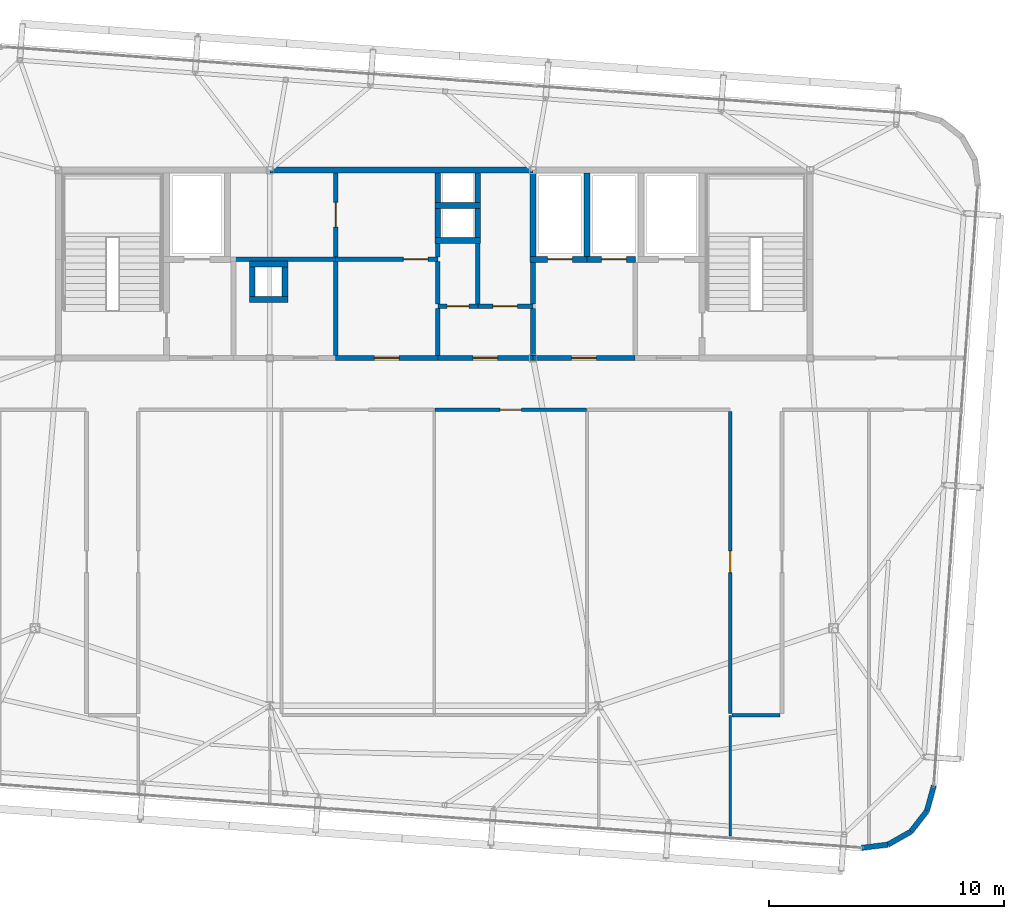
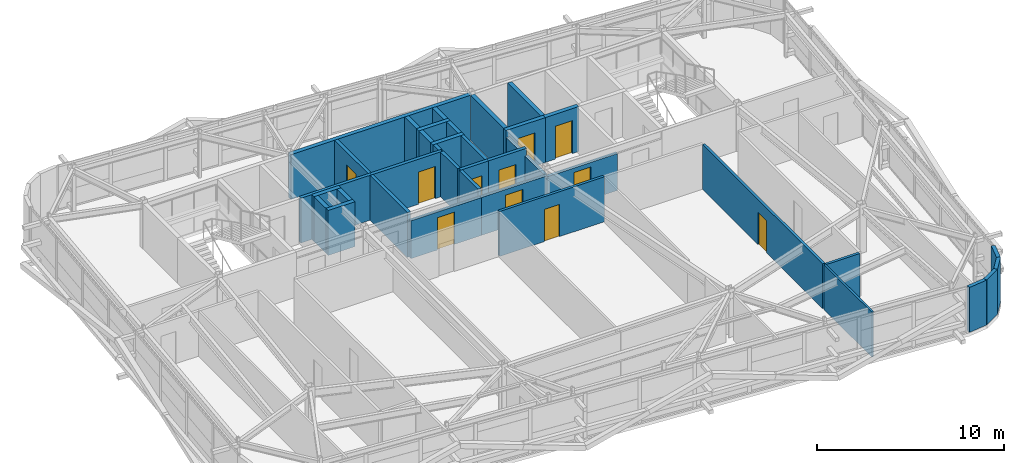
# One storey, part 39 of 42: 38 walls, 11 doors, 11 openings.
"""IFC4 building model written with IfcOpenShell, lengths in metres."""

import ifcopenshell
import ifcopenshell.guid

model = None  # the IFC model being written
_history = None  # IfcOwnerHistory: only IFC2X3 demands one
_inside = {}  # id of a spatial element -> (the spatial element, [elements in it])
_under = {}  # id of a project, library or spatial element -> (it, [spatial elements below it])
_declared = {}  # id of a project -> (the project, [libraries it declares])
_typed = {}  # id of a type object -> (the type object, [elements of that type])
_made_of = {}  # id of a material, layer set ... -> (it, [elements and type objects made of it])


def new_model(schema):
    """Start an empty IFC model of exactly this schema.

    Asked for "IFC4X3", IfcOpenShell would pick the latest addendum, in which some entities
    have other attributes; the version numbers below select the first issue.
    IFC2X3 requires an IfcOwnerHistory on every rooted entity: one is made here for all.
    """
    global model, _history
    if schema == "IFC4X3":
        model = ifcopenshell.file(schema_version=(4, 3, 0, 0))
    else:
        model = ifcopenshell.file(schema=schema)
    _inside.clear()
    _under.clear()
    _declared.clear()
    _typed.clear()
    _made_of.clear()
    _history = None
    if model.schema == "IFC2X3":
        org = make("IfcOrganization", Name="unknown")
        user = make(
            "IfcPersonAndOrganization",
            ThePerson=make("IfcPerson", FamilyName="unknown"),
            TheOrganization=org,
        )
        app = make(
            "IfcApplication",
            ApplicationDeveloper=org,
            Version="unknown",
            ApplicationFullName="unknown",
            ApplicationIdentifier="unknown",
        )
        _history = make(
            "IfcOwnerHistory",
            OwningUser=user,
            OwningApplication=app,
            ChangeAction="ADDED",
            CreationDate=0,
        )
    return model


def make(cls, **values):
    """One entity of the class cls with the attributes given. An attribute that is None is left unset."""
    return model.create_entity(
        cls, **{name: value for name, value in values.items() if value is not None}
    )


def rooted(cls, **values):
    """An entity with a GlobalId (a new one), such as an element, a storey or a relation."""
    return make(cls, GlobalId=ifcopenshell.guid.new(), OwnerHistory=_history, **values)


def si_unit(unit_type, name, prefix=None):
    """IfcSIUnit, for example si_unit("LENGTHUNIT", "METRE", prefix="MILLI")."""
    return make("IfcSIUnit", UnitType=unit_type, Prefix=prefix, Name=name)


def assignment(units):
    """IfcUnitAssignment: the units of a project."""
    return None if units is None else make("IfcUnitAssignment", Units=units)


def point(xyz):
    """IfcCartesianPoint."""
    return None if xyz is None else make("IfcCartesianPoint", Coordinates=xyz)


def direction(xyz):
    """IfcDirection."""
    return None if xyz is None else make("IfcDirection", DirectionRatios=xyz)


def frame(location, z_axis=None, x_axis=None):
    """IfcAxis2Placement3D, a coordinate frame: its origin and axes. An axis left out is left unset."""
    return make(
        "IfcAxis2Placement3D",
        Location=point(location),
        Axis=direction(z_axis),
        RefDirection=direction(x_axis),
    )


def frame_2d(location, x_axis=None):
    """IfcAxis2Placement2D, a coordinate frame in the plane: its origin and x axis."""
    return make(
        "IfcAxis2Placement2D", Location=point(location), RefDirection=direction(x_axis)
    )


def origin():
    """The frame at (0, 0, 0) with its axes left unset."""
    return frame((0.0, 0.0, 0.0))


def place(relative_to, where):
    """IfcLocalPlacement: puts the frame where relative to a parent placement (None: the world)."""
    return make(
        "IfcLocalPlacement", PlacementRelTo=relative_to, RelativePlacement=where
    )


def context(
    kind, dimensions, precision=None, world=None, true_north=None, identifier=None
):
    """IfcGeometricRepresentationContext, for example the 3D "Model" context."""
    return make(
        "IfcGeometricRepresentationContext",
        ContextIdentifier=identifier,
        ContextType=kind,
        CoordinateSpaceDimension=dimensions,
        Precision=precision,
        WorldCoordinateSystem=world,
        TrueNorth=true_north,
    )


def subcontext(parent, identifier, kind, view, scale=None):
    """IfcGeometricRepresentationSubContext, for example "Body" below "Model"."""
    return make(
        "IfcGeometricRepresentationSubContext",
        ContextIdentifier=identifier,
        ContextType=kind,
        ParentContext=parent,
        TargetScale=scale,
        TargetView=view,
    )


def project(units=None, contexts=None):
    """IfcProject with its units and contexts."""
    return rooted(
        "IfcProject",
        Name="project",
        RepresentationContexts=contexts,
        UnitsInContext=assignment(units),
    )


def spatial(cls, under=None, at=None, **own):
    """A site, building, storey or space (cls), placed at a placement, below another one or the project."""
    s = rooted(cls, ObjectPlacement=at, **own)
    if under is not None:
        _under.setdefault(under.id(), (under, []))[1].append(s)
    return s


def profile(cls, at=None, kind="AREA", **sizes):
    """A parametric profile (cls). Its sizes go by their IFC names, for example OverallWidth=200.0."""
    return make(cls, ProfileType=kind, Position=at, **sizes)


def rectangle(**sizes):
    """IfcRectangleProfileDef."""
    return profile("IfcRectangleProfileDef", **sizes)


def extrude(swept, where, along, depth):
    """IfcExtrudedAreaSolid: the profile swept, set in the frame where, extruded along a direction by depth."""
    return make(
        "IfcExtrudedAreaSolid",
        SweptArea=swept,
        Position=where,
        ExtrudedDirection=direction(along),
        Depth=depth,
    )


def shape(context_of_items, identifier, shape_type, items):
    """IfcShapeRepresentation: the items that make up one representation, for example the "Body"."""
    return make(
        "IfcShapeRepresentation",
        ContextOfItems=context_of_items,
        RepresentationIdentifier=identifier,
        RepresentationType=shape_type,
        Items=items,
    )


def source(mapping_origin, context_of_items, identifier, shape_type, items):
    """IfcRepresentationMap: a shape defined once, which mapped items show again and again."""
    return make(
        "IfcRepresentationMap",
        MappingOrigin=mapping_origin,
        MappedRepresentation=shape(context_of_items, identifier, shape_type, items),
    )


def transform(
    local_origin,
    x_axis=None,
    y_axis=None,
    z_axis=None,
    scale=None,
    scale2=None,
    scale3=None,
    uniform=True,
):
    """IfcCartesianTransformationOperator3D, or its non-uniform kind. x_axis, y_axis, z_axis: its Axis1, 2, 3."""
    if uniform:
        return make(
            "IfcCartesianTransformationOperator3D",
            Axis1=direction(x_axis),
            Axis2=direction(y_axis),
            LocalOrigin=point(local_origin),
            Scale=scale,
            Axis3=direction(z_axis),
        )
    return make(
        "IfcCartesianTransformationOperator3DnonUniform",
        Axis1=direction(x_axis),
        Axis2=direction(y_axis),
        LocalOrigin=point(local_origin),
        Scale=scale,
        Axis3=direction(z_axis),
        Scale2=scale2,
        Scale3=scale3,
    )


def mapped(mapping_source, mapping_target):
    """IfcMappedItem: shows the shape of a source again, moved by a transform."""
    return make(
        "IfcMappedItem", MappingSource=mapping_source, MappingTarget=mapping_target
    )


def material(Name=None, Category=None):
    """IfcMaterial."""
    return make("IfcMaterial", Name=Name, Category=Category)


def layer(
    of_material, thickness, ventilated=None, Name=None, Category=None, Priority=None
):
    """IfcMaterialLayer: one layer of a wall or slab, of a material (None: an air gap)."""
    return make(
        "IfcMaterialLayer",
        Material=of_material,
        LayerThickness=thickness,
        IsVentilated=ventilated,
        Name=Name,
        Category=Category,
        Priority=Priority,
    )


def layer_set(layers, Name=None):
    """IfcMaterialLayerSet."""
    return make("IfcMaterialLayerSet", MaterialLayers=layers, LayerSetName=Name)


def made_of(thing, what):
    """Note that an element or type object is made of a material, layer set ...; save() writes the relation."""
    if what is not None:
        _made_of.setdefault(what.id(), (what, []))[1].append(thing)
    return thing


def type_object(cls, material=None, **own):
    """A type object (cls), such as IfcWallType, which elements share."""
    return made_of(rooted(cls, **own), material)


def element(
    cls,
    number,
    at=None,
    inside=None,
    cuts=None,
    type_object=None,
    material=None,
    context=None,
    identifier="Body",
    shape_type=None,
    held_by="IfcProductDefinitionShape",
    body=None,
    shapes=None,
    **own,
):
    """One element of the class cls, such as IfcWall. Its Tag is "e" and its number.

    at: its placement. inside: the storey or other place that contains it. cuts: it is an
    opening in that element (IfcRelVoidsElement). A single representation is given by context,
    identifier, shape_type and body (its items); several are given by shapes. held_by: the class
    of the entity that holds the representations. save() writes the other relations.
    """
    e = rooted(cls, Tag="e%d" % number, ObjectPlacement=at, **own)
    if body is not None:
        shapes = [shape(context, identifier, shape_type, body)]
    if shapes is not None:
        e.Representation = make(held_by, Representations=shapes)
    if inside is not None:
        _inside.setdefault(inside.id(), (inside, []))[1].append(e)
    if cuts is not None:
        rooted(
            "IfcRelVoidsElement", RelatingBuildingElement=cuts, RelatedOpeningElement=e
        )
    if type_object is not None:
        _typed.setdefault(type_object.id(), (type_object, []))[1].append(e)
    return made_of(e, material)


def fill(opening, filler):
    """IfcRelFillsElement: the door or window that sits in an opening."""
    return rooted(
        "IfcRelFillsElement",
        RelatingOpeningElement=opening,
        RelatedBuildingElement=filler,
    )


def aggregate(whole, parts):
    """IfcRelAggregates: a whole, such as a stair, and the parts it consists of."""
    return rooted("IfcRelAggregates", RelatingObject=whole, RelatedObjects=parts)


def save(model, path):
    """Write the relations noted so far, then the file.

    IfcRelAggregates (storeys below a building ...), IfcRelContainedInSpatialStructure (elements
    in a storey), IfcRelDefinesByType, IfcRelAssociatesMaterial and IfcRelDeclares: one each for
    every whole, place, type object, material and project.
    """
    for whole, parts in _under.values():
        aggregate(whole, parts)
    for where, things in _inside.values():
        rooted(
            "IfcRelContainedInSpatialStructure",
            RelatedElements=things,
            RelatingStructure=where,
        )
    for kind, things in _typed.values():
        rooted("IfcRelDefinesByType", RelatedObjects=things, RelatingType=kind)
    for what, things in _made_of.values():
        rooted("IfcRelAssociatesMaterial", RelatedObjects=things, RelatingMaterial=what)
    for by, libraries in _declared.values():
        rooted("IfcRelDeclares", RelatingContext=by, RelatedDefinitions=libraries)
    model.write(path)


model = new_model("IFC4")

# Units and contexts
model_context = context("Model", 3, precision=1e-05, world=origin(), true_north=direction((0.0, 1.0)))
body_context = subcontext(model_context, "Body", "Model", "MODEL_VIEW")
ifc_project = project(units=[si_unit("LENGTHUNIT", "METRE"), si_unit("AREAUNIT", "SQUARE_METRE"), si_unit("VOLUMEUNIT", "CUBIC_METRE"), si_unit("PLANEANGLEUNIT", "RADIAN"), si_unit("MASSUNIT", "GRAM", prefix="KILO")], contexts=[model_context])

# Site, building, storey
site_placement = place(None, origin())
site = spatial("IfcSite", under=ifc_project, at=site_placement, CompositionType="ELEMENT")
building_placement = place(site_placement, origin())
building = spatial("IfcBuilding", under=site, at=building_placement, Name="Taldren Reach Tower", CompositionType="ELEMENT")
storey_placement = place(building_placement, frame((0.0, 0.0, 217.699951171875)))
storey = spatial("IfcBuildingStorey", under=building, at=storey_placement, Name="L66", CompositionType="ELEMENT", Elevation=217.699951171875)

# Walls
ifc_material_1 = material(Name="Pale Champagne Anodised Aluminium Cladding", Category="aluminium")
ifc_layer_1 = layer(ifc_material_1, 0.04, Name="Pale Champagne Anodised Aluminium Cladding", Category="aluminium")
ifc_material_2 = material(Name="Mineral Wool Acoustic Insulation", Category="insulation")
ifc_layer_2 = layer(ifc_material_2, 0.06, Name="Mineral Wool Acoustic Insulation", Category="insulation")
ifc_material_3 = material(Name="Steel Gr 350 (C350L0)", Category="steel")
ifc_layer_3 = layer(ifc_material_3, 0.12, Name="Steel Gr 350 (C350L0)", Category="steel")
ifc_layer_set_1 = layer_set([ifc_layer_1, ifc_layer_2, ifc_layer_3], Name="Pale Champagne Aluminium Cladding and Steel Gr 350 Stud Framing")
wall_type_1 = type_object("IfcWallType", Name="EW-CRN-220", PredefinedType="SOLIDWALL", material=ifc_layer_set_1)
shared_shape_1 = source(origin(), body_context, "Body", "SweptSolid", [
    extrude(rectangle(XDim=1.115966796875, YDim=0.219970703125, at=frame_2d((0.55810546875, 0.0))), origin(), (0.0, 0.0, 1.0), 2.929931640625),
])
for number, where, z_axis, x_axis, name in (
    (1, (53.20068359375, 3.15380859375, 0.0), (0.0, 0.0, 1.0), (0.992438604032, 0.122742076028, 0.0), "Rounded-corner pale-metal facade wall L66-SE1"),
    (2, (55.279052734375, 3.84130859375, 0.0), (0.0, 0.0, 1.0), (0.615015475096, 0.788515038152, 0.0), "Rounded-corner pale-metal facade wall L66-SE3"),
    (3, (55.96533203125, 4.72119140625, 0.0), (0.0, 0.0, 1.0), (0.26624444942, 0.963905541613, 0.0), "Rounded-corner pale-metal facade wall L66-SE4"),
):
    element("IfcWall", number, at=place(storey_placement, frame(where, z_axis=z_axis, x_axis=x_axis)), inside=storey, type_object=wall_type_1, Name=name, PredefinedType="SOLIDWALL", context=body_context, shape_type="MappedRepresentation", body=[
        mapped(shared_shape_1, transform((0.0, 0.0, 0.0), scale=1.0)),
    ])
shared_shape_2 = source(origin(), body_context, "Body", "SweptSolid", [
    extrude(rectangle(XDim=1.1162109375, YDim=0.219970703125, at=frame_2d((0.55810546875, 0.0))), origin(), (0.0, 0.0, 1.0), 2.929931640625),
])
wall_1_placement = place(storey_placement, frame((54.30810546875, 3.290771484375, 0.0), z_axis=(0.0, 0.0, 1.0), x_axis=(0.869893934693, 0.49323882895, 0.0)))
element("IfcWall", 4, at=wall_1_placement, inside=storey, type_object=wall_type_1, Name="Rounded-corner pale-metal facade wall L66-SE2", PredefinedType="SOLIDWALL", context=body_context, shape_type="MappedRepresentation", body=[
    mapped(shared_shape_2, transform((0.0, 0.0, 0.0), scale=1.0)),
])

# Wall, opening, door
ifc_material_4 = material(Name="Concrete S50 (50 MPa)", Category="concrete")
ifc_layer_4 = layer(ifc_material_4, 0.199951171875)
ifc_layer_set_2 = layer_set([ifc_layer_4], Name="Concrete S50 (50 MPa)")
wall_type_2 = type_object("IfcWallType", Name="IW-CORE-200", PredefinedType="SOLIDWALL", material=ifc_layer_set_2)
shared_shape_3 = source(origin(), body_context, "Body", "SweptSolid", [
    extrude(rectangle(XDim=4.35009765625, YDim=0.199951171875, at=frame_2d((2.175048828125, 0.0))), origin(), (0.0, 0.0, 1.0), 2.39697265625),
])
wall_2_placement = place(storey_placement, frame((43.550048828125, 24.0, 0.0), z_axis=(0.0, 0.0, 1.0), x_axis=(-1.0, 0.0, 0.0)))
wall_2 = element("IfcWall", 5, at=wall_2_placement, inside=storey, type_object=wall_type_2, Name="Rear Core Shear Wall W-INT-L66-031", PredefinedType="SOLIDWALL", context=body_context, shape_type="MappedRepresentation", body=[
    mapped(shared_shape_3, transform((0.0, 0.0, 0.0), scale=1.0)),
])
shared_shape_4 = source(origin(), body_context, "Body", "SweptSolid", [
    extrude(rectangle(XDim=1.050048828125, YDim=2.10009765625, at=frame_2d((0.52490234375, 1.050048828125))), frame((0.0, 0.10986328125, 0.0), z_axis=(0.0, -1.0, 0.0), x_axis=(1.0, 0.0, 0.0)), (0.0, 0.0, 1.0), 0.219970703125),
])
opening_1_placement = place(wall_2_placement, frame((1.64990234375, 0.0, 0.0)))
opening_1 = element("IfcOpeningElement", 6, at=opening_1_placement, cuts=wall_2, Name="Opening DF-105", PredefinedType="OPENING", context=body_context, shape_type="MappedRepresentation", body=[
    mapped(shared_shape_4, transform((0.0, 0.0, 0.0), scale=1.0)),
])
ifc_material_5 = material(Name="Fire-Rated Care and Stair Exit Door")
door_type_1 = type_object("IfcDoorType", Name="ID-FIRE-105", OperationType="NOTDEFINED", PredefinedType="DOOR", material=ifc_material_5)
shared_shape_5 = source(origin(), body_context, "Body", "SweptSolid", [
    extrude(rectangle(XDim=1.050048828125, YDim=2.10009765625, at=frame_2d((0.52490234375, 1.050048828125))), frame((0.0, 0.02490234375, 0.0), z_axis=(0.0, -1.0, 0.0), x_axis=(1.0, 0.0, 0.0)), (0.0, 0.0, 1.0), 0.050048828125),
])
door_1_placement = place(opening_1_placement, frame((1.050048828125, 0.0, 0.0), z_axis=(0.0, 0.0, 1.0), x_axis=(-1.0, 0.0, 0.0)))
door_1 = element("IfcDoor", 7, at=door_1_placement, inside=storey, type_object=door_type_1, Name="Interior Door DR-L66-005", OperationType="SINGLE_SWING_LEFT", OverallHeight=2.10009765625, OverallWidth=1.050048828125, PredefinedType="DOOR", context=body_context, shape_type="MappedRepresentation", body=[
    mapped(shared_shape_5, transform((0.0, 0.0, 0.0), scale=1.0)),
])
fill(opening_1, door_1)

# Walls
shared_shape_6 = source(origin(), body_context, "Body", "SweptSolid", [
    extrude(rectangle(XDim=2.0, YDim=0.199951171875, at=frame_2d((1.0, 0.0))), origin(), (0.0, 0.0, 1.0), 2.469970703125),
])
wall_3_placement = place(storey_placement, frame((39.199951171875, 24.10009765625, 0.0), z_axis=(0.0, 0.0, 1.0), x_axis=(0.0, 1.0, 0.0)))
element("IfcWall", 8, at=wall_3_placement, inside=storey, type_object=wall_type_2, Name="Rear Core Shear Wall W-INT-L66-029", PredefinedType="SOLIDWALL", context=body_context, shape_type="MappedRepresentation", body=[
    mapped(shared_shape_6, transform((0.0, 0.0, 0.0), scale=1.0)),
])
ifc_material_6 = material(Name="Fire-Rated Acoustic Plasterboard Stud Wall", Category="gypsum")
ifc_layer_5 = layer(ifc_material_6, 0.159912109375)
ifc_layer_set_3 = layer_set([ifc_layer_5], Name="Fire-Rated Acoustic Plasterboard Stud Wall")
wall_type_3 = type_object("IfcWallType", Name="IW-FIRE-160", PredefinedType="PARTITIONING", material=ifc_layer_set_3)
shared_shape_7 = source(origin(), body_context, "Body", "SweptSolid", [
    extrude(rectangle(XDim=2.0400390625, YDim=0.159912109375, at=frame_2d((1.02001953125, 0.0))), origin(), (0.0, 0.0, 1.0), 2.929931640625),
])
wall_4_placement = place(storey_placement, frame((49.719970703125, 8.800048828125, 0.0), z_axis=(0.0, 0.0, 1.0), x_axis=(-1.0, 0.0, 0.0)))
element("IfcWall", 9, at=wall_4_placement, inside=storey, type_object=wall_type_3, Name="Interior Partition Wall W-INT-L66-059", PredefinedType="PARTITIONING", context=body_context, shape_type="MappedRepresentation", body=[
    mapped(shared_shape_7, transform((0.0, 0.0, 0.0), scale=1.0)),
])

# Wall, opening, door
shared_shape_8 = source(origin(), body_context, "Body", "SweptSolid", [
    extrude(rectangle(XDim=4.349853515625, YDim=0.199951171875, at=frame_2d((2.1748046875, 0.0))), origin(), (0.0, 0.0, 1.0), 2.469970703125),
])
wall_5_placement = place(storey_placement, frame((35.14990234375, 24.0, 0.0), z_axis=(0.0, 0.0, 1.0), x_axis=(-1.0, 0.0, 0.0)))
wall_5 = element("IfcWall", 10, at=wall_5_placement, inside=storey, type_object=wall_type_2, Name="Rear Core Shear Wall W-INT-L66-039", PredefinedType="SOLIDWALL", context=body_context, shape_type="MappedRepresentation", body=[
    mapped(shared_shape_8, transform((0.0, 0.0, 0.0), scale=1.0)),
])
opening_2_placement = place(wall_5_placement, frame((1.64990234375, 0.0, 0.0)))
opening_2 = element("IfcOpeningElement", 11, at=opening_2_placement, cuts=wall_5, Name="Opening DF-105", PredefinedType="OPENING", context=body_context, shape_type="MappedRepresentation", body=[
    mapped(shared_shape_4, transform((0.0, 0.0, 0.0), scale=1.0)),
])
door_2_placement = place(opening_2_placement, frame((1.050048828125, 0.0, 0.0), z_axis=(0.0, 0.0, 1.0), x_axis=(-1.0, 0.0, 0.0)))
door_2 = element("IfcDoor", 12, at=door_2_placement, inside=storey, type_object=door_type_1, Name="Interior Door DR-L66-009", OperationType="SINGLE_SWING_LEFT", OverallHeight=2.10009765625, OverallWidth=1.050048828125, PredefinedType="DOOR", context=body_context, shape_type="MappedRepresentation", body=[
    mapped(shared_shape_5, transform((0.0, 0.0, 0.0), scale=1.0)),
])
fill(opening_2, door_2)

# Walls
shared_shape_9 = source(origin(), body_context, "Body", "SweptSolid", [
    extrude(rectangle(XDim=4.0, YDim=0.199951171875, at=frame_2d((2.0, 0.0))), origin(), (0.0, 0.0, 1.0), 2.929931640625),
])
wall_6_placement = place(storey_placement, frame((30.800048828125, 28.10009765625, 0.0), z_axis=(0.0, 0.0, 1.0), x_axis=(0.0, -1.0, 0.0)))
element("IfcWall", 13, at=wall_6_placement, inside=storey, type_object=wall_type_2, Name="Rear Core Shear Wall W-INT-L66-033", PredefinedType="SOLIDWALL", context=body_context, shape_type="MappedRepresentation", body=[
    mapped(shared_shape_9, transform((0.0, 0.0, 0.0), scale=1.0)),
])
shared_shape_10 = source(origin(), body_context, "Body", "SweptSolid", [
    extrude(rectangle(XDim=2.0, YDim=0.199951171875, at=frame_2d((1.0, 0.0))), origin(), (0.0, 0.0, 1.0), 2.929931640625),
])
wall_7_placement = place(storey_placement, frame((35.14990234375, 26.10009765625, 0.0), z_axis=(0.0, 0.0, 1.0), x_axis=(0.0, -1.0, 0.0)))
element("IfcWall", 14, at=wall_7_placement, inside=storey, type_object=wall_type_2, Name="Rear Core Shear Wall W-INT-L66-037", PredefinedType="SOLIDWALL", context=body_context, shape_type="MappedRepresentation", body=[
    mapped(shared_shape_10, transform((0.0, 0.0, 0.0), scale=1.0)),
])
shared_shape_11 = source(origin(), body_context, "Body", "SweptSolid", [
    extrude(rectangle(XDim=4.35009765625, YDim=0.199951171875, at=frame_2d((2.175048828125, 0.0))), origin(), (0.0, 0.0, 1.0), 2.929931640625),
])
wall_8_placement = place(storey_placement, frame((26.449951171875, 28.199951171875, 0.0), z_axis=(0.0, 0.0, 1.0), x_axis=(1.0, 0.0, 0.0)))
element("IfcWall", 15, at=wall_8_placement, inside=storey, type_object=wall_type_2, Name="Rear Core Shear Wall W-INT-L66-032", PredefinedType="SOLIDWALL", context=body_context, shape_type="MappedRepresentation", body=[
    mapped(shared_shape_11, transform((0.0, 0.0, 0.0), scale=1.0)),
])
ifc_material_7 = material(Name="Concrete S65 (65 MPa)", Category="concrete")
ifc_layer_6 = layer(ifc_material_7, 0.25)
ifc_layer_set_4 = layer_set([ifc_layer_6], Name="Concrete S65 (65 MPa)")
wall_type_4 = type_object("IfcWallType", Name="IW-CORE-250", PredefinedType="SHEAR", material=ifc_layer_set_4)
shared_shape_12 = source(origin(), body_context, "Body", "SweptSolid", [
    extrude(rectangle(XDim=11.199951171875, YDim=0.25, at=frame_2d((5.60009765625, 0.0))), origin(), (0.0, 0.0, 1.0), 2.929931640625),
])
wall_9_placement = place(storey_placement, frame((28.0, 32.0, 0.0), z_axis=(0.0, 0.0, 1.0), x_axis=(1.0, 0.0, 0.0)))
element("IfcWall", 16, at=wall_9_placement, inside=storey, type_object=wall_type_4, Name="Rear Core Shear Wall W-CORE-L66-NORTH2", PredefinedType="SHEAR", context=body_context, shape_type="MappedRepresentation", body=[
    mapped(shared_shape_12, transform((0.0, 0.0, 0.0), scale=1.0)),
])
shared_shape_13 = source(origin(), body_context, "Body", "SweptSolid", [
    extrude(rectangle(XDim=3.550048828125, YDim=0.25, at=frame_2d((1.77490234375, 0.0))), origin(), (0.0, 0.0, 1.0), 2.929931640625),
])
for number, where, z_axis, x_axis, name in (
    (17, (41.5, 28.324951171875, 0.0), (0.0, 0.0, 1.0), (0.0, 1.0, 0.0), "Rear Core Shear Wall W-INT-L66-025"),
    (18, (39.199951171875, 31.875, 0.0), (0.0, 0.0, 1.0), (0.0, -1.0, 0.0), "Rear Core Shear Wall W-INT-L66-027"),
):
    element("IfcWall", number, at=place(storey_placement, frame(where, z_axis=z_axis, x_axis=x_axis)), inside=storey, type_object=wall_type_4, Name=name, PredefinedType="SHEAR", context=body_context, shape_type="MappedRepresentation", body=[
        mapped(shared_shape_13, transform((0.0, 0.0, 0.0), scale=1.0)),
    ])
shared_shape_14 = source(origin(), body_context, "Body", "SweptSolid", [
    extrude(rectangle(XDim=1.9501953125, YDim=0.25, at=frame_2d((0.97509765625, 0.0))), origin(), (0.0, 0.0, 1.0), 2.929931640625),
])
for number, where, z_axis, x_axis, name in (
    (19, (35.02490234375, 30.5, 0.0), (0.0, 0.0, 1.0), (1.0, 0.0, 0.0), "Rear Core Shear Wall W-INT-L66-015"),
    (20, (35.02490234375, 29.0, 0.0), (0.0, 0.0, 1.0), (1.0, 0.0, 0.0), "Rear Core Shear Wall W-INT-L66-019"),
):
    element("IfcWall", number, at=place(storey_placement, frame(where, z_axis=z_axis, x_axis=x_axis)), inside=storey, type_object=wall_type_4, Name=name, PredefinedType="SHEAR", context=body_context, shape_type="MappedRepresentation", body=[
        mapped(shared_shape_14, transform((0.0, 0.0, 0.0), scale=1.0)),
    ])
shared_shape_15 = source(origin(), body_context, "Body", "SweptSolid", [
    extrude(rectangle(XDim=1.25, YDim=0.25, at=frame_2d((0.625, 0.0))), origin(), (0.0, 0.0, 1.0), 2.929931640625),
])
for number, where, z_axis, x_axis, name in (
    (21, (35.14990234375, 31.875, 0.0), (0.0, 0.0, 1.0), (0.0, -1.0, 0.0), "Rear Core Shear Wall W-INT-L66-016"),
    (22, (36.85009765625, 30.625, 0.0), (0.0, 0.0, 1.0), (0.0, 1.0, 0.0), "Rear Core Shear Wall W-INT-L66-017"),
    (23, (35.14990234375, 30.375, 0.0), (0.0, 0.0, 1.0), (0.0, -1.0, 0.0), "Rear Core Shear Wall W-INT-L66-018"),
    (24, (36.85009765625, 29.125, 0.0), (0.0, 0.0, 1.0), (0.0, 1.0, 0.0), "Rear Core Shear Wall W-INT-L66-020"),
    (25, (28.64990234375, 26.625, 0.0), (0.0, 0.0, 1.0), (0.0, 1.0, 0.0), "Rear Core Shear Wall W-INT-L66-021"),
    (26, (27.25, 27.875, 0.0), (0.0, 0.0, 1.0), (0.0, -1.0, 0.0), "Rear Core Shear Wall W-INT-L66-022"),
):
    element("IfcWall", number, at=place(storey_placement, frame(where, z_axis=z_axis, x_axis=x_axis)), inside=storey, type_object=wall_type_4, Name=name, PredefinedType="SHEAR", context=body_context, shape_type="MappedRepresentation", body=[
        mapped(shared_shape_15, transform((0.0, 0.0, 0.0), scale=1.0)),
    ])
shared_shape_16 = source(origin(), body_context, "Body", "SweptSolid", [
    extrude(rectangle(XDim=1.64990234375, YDim=0.25, at=frame_2d((0.824951171875, 0.0))), origin(), (0.0, 0.0, 1.0), 2.929931640625),
])
for number, where, z_axis, x_axis, name in (
    (27, (28.77490234375, 28.0, 0.0), (0.0, 0.0, 1.0), (-1.0, 0.0, 0.0), "Rear Core Shear Wall W-INT-L66-023"),
    (28, (27.125, 26.5, 0.0), (0.0, 0.0, 1.0), (1.0, 0.0, 0.0), "Rear Core Shear Wall W-INT-L66-024"),
):
    element("IfcWall", number, at=place(storey_placement, frame(where, z_axis=z_axis, x_axis=x_axis)), inside=storey, type_object=wall_type_4, Name=name, PredefinedType="SHEAR", context=body_context, shape_type="MappedRepresentation", body=[
        mapped(shared_shape_16, transform((0.0, 0.0, 0.0), scale=1.0)),
    ])

# Wall, opening, door
shared_shape_17 = source(origin(), body_context, "Body", "SweptSolid", [
    extrude(rectangle(XDim=2.425048828125, YDim=0.25, at=frame_2d((1.21240234375, 0.0))), origin(), (0.0, 0.0, 1.0), 2.929931640625),
])
wall_10_placement = place(storey_placement, frame((39.074951171875, 28.199951171875, 0.0), z_axis=(0.0, 0.0, 1.0), x_axis=(1.0, 0.0, 0.0)))
wall_10 = element("IfcWall", 29, at=wall_10_placement, inside=storey, type_object=wall_type_4, Name="Rear Core Shear Wall W-INT-L66-026", PredefinedType="SHEAR", context=body_context, shape_type="MappedRepresentation", body=[
    mapped(shared_shape_17, transform((0.0, 0.0, 0.0), scale=1.0)),
])
shared_shape_18 = source(origin(), body_context, "Body", "SweptSolid", [
    extrude(rectangle(XDim=1.050048828125, YDim=2.14990234375, at=frame_2d((0.52490234375, 1.074951171875))), frame((0.0, 0.135009765625, 0.0), z_axis=(0.0, -1.0, 0.0), x_axis=(1.0, 0.0, 0.0)), (0.0, 0.0, 1.0), 0.27001953125),
])
opening_3_placement = place(wall_10_placement, frame((0.75, 0.0, 0.0)))
opening_3 = element("IfcOpeningElement", 30, at=opening_3_placement, cuts=wall_10, Name="Opening LD-PH1", PredefinedType="OPENING", context=body_context, shape_type="MappedRepresentation", body=[
    mapped(shared_shape_18, transform((0.0, 0.0, 0.0), scale=1.0)),
])
ifc_material_8 = material(Name="Stainless Steel Gr 316 Passenger Lift Landing Door", Category="steel")
door_type_2 = type_object("IfcDoorType", Name="LD-PAS-105", OperationType="SLIDING_TO_LEFT", PredefinedType="DOOR", material=ifc_material_8)
shared_shape_19 = source(origin(), body_context, "Body", "SweptSolid", [
    extrude(rectangle(XDim=1.050048828125, YDim=2.14990234375, at=frame_2d((0.52490234375, 1.074951171875))), frame((0.0, 0.02490234375, 0.0), z_axis=(0.0, -1.0, 0.0), x_axis=(1.0, 0.0, 0.0)), (0.0, 0.0, 1.0), 0.050048828125),
])
door_3_placement = place(opening_3_placement, origin())
door_3 = element("IfcDoor", 31, at=door_3_placement, inside=storey, type_object=door_type_2, Name="Lift Landing Door LD-PH1-L66", OperationType="SLIDING_TO_LEFT", OverallHeight=2.14990234375, OverallWidth=1.050048828125, PredefinedType="DOOR", context=body_context, shape_type="MappedRepresentation", body=[
    mapped(shared_shape_19, transform((0.0, 0.0, 0.0), scale=1.0)),
])
fill(opening_3, door_3)

shared_shape_20 = source(origin(), body_context, "Body", "SweptSolid", [
    extrude(rectangle(XDim=2.070068359375, YDim=0.25, at=frame_2d((1.03515625, 0.0))), origin(), (0.0, 0.0, 1.0), 2.929931640625),
])
wall_11_placement = place(storey_placement, frame((41.5, 28.199951171875, 0.0), z_axis=(0.0, 0.0, 1.0), x_axis=(1.0, 0.0, 0.0)))
wall_11 = element("IfcWall", 32, at=wall_11_placement, inside=storey, type_object=wall_type_4, Name="Rear Core Shear Wall W-INT-L66-028", PredefinedType="SHEAR", context=body_context, shape_type="MappedRepresentation", body=[
    mapped(shared_shape_20, transform((0.0, 0.0, 0.0), scale=1.0)),
])
opening_4_placement = place(wall_11_placement, frame((0.625, 0.0, 0.0)))
opening_4 = element("IfcOpeningElement", 33, at=opening_4_placement, cuts=wall_11, Name="Opening LD-PH2", PredefinedType="OPENING", context=body_context, shape_type="MappedRepresentation", body=[
    mapped(shared_shape_18, transform((0.0, 0.0, 0.0), scale=1.0)),
])
door_4_placement = place(opening_4_placement, origin())
door_4 = element("IfcDoor", 34, at=door_4_placement, inside=storey, type_object=door_type_2, Name="Lift Landing Door LD-PH2-L66", OperationType="SLIDING_TO_LEFT", OverallHeight=2.14990234375, OverallWidth=1.050048828125, PredefinedType="DOOR", context=body_context, shape_type="MappedRepresentation", body=[
    mapped(shared_shape_19, transform((0.0, 0.0, 0.0), scale=1.0)),
])
fill(opening_4, door_4)

shared_shape_21 = source(origin(), body_context, "Body", "SweptSolid", [
    extrude(rectangle(XDim=4.050048828125, YDim=0.199951171875, at=frame_2d((2.02490234375, 0.0))), origin(), (0.0, 0.0, 1.0), 2.469970703125),
])
wall_12_placement = place(storey_placement, frame((39.199951171875, 24.0, 0.0), z_axis=(0.0, 0.0, 1.0), x_axis=(-1.0, 0.0, 0.0)))
wall_12 = element("IfcWall", 35, at=wall_12_placement, inside=storey, type_object=wall_type_2, Name="Rear Core Shear Wall W-INT-L66-043", PredefinedType="SOLIDWALL", context=body_context, shape_type="MappedRepresentation", body=[
    mapped(shared_shape_21, transform((0.0, 0.0, 0.0), scale=1.0)),
])
opening_5_placement = place(wall_12_placement, frame((1.5, 0.0, 0.0)))
opening_5 = element("IfcOpeningElement", 36, at=opening_5_placement, cuts=wall_12, Name="Opening DF-105", PredefinedType="OPENING", context=body_context, shape_type="MappedRepresentation", body=[
    mapped(shared_shape_4, transform((0.0, 0.0, 0.0), scale=1.0)),
])
door_5_placement = place(opening_5_placement, frame((1.050048828125, 0.0, 0.0), z_axis=(0.0, 0.0, 1.0), x_axis=(-1.0, 0.0, 0.0)))
door_5 = element("IfcDoor", 37, at=door_5_placement, inside=storey, type_object=door_type_1, Name="Interior Door DR-L66-012", OperationType="SINGLE_SWING_RIGHT", OverallHeight=2.10009765625, OverallWidth=1.050048828125, PredefinedType="DOOR", context=body_context, shape_type="MappedRepresentation", body=[
    mapped(shared_shape_5, transform((0.0, 0.0, 0.0), scale=1.0)),
])
fill(opening_5, door_5)

shared_shape_22 = source(origin(), body_context, "Body", "SweptSolid", [
    extrude(rectangle(XDim=12.840087890625, YDim=0.159912109375, at=frame_2d((6.419921875, 0.0))), origin(), (0.0, 0.0, 1.0), 2.929931640625),
])
wall_13_placement = place(storey_placement, frame((47.60009765625, 8.8798828125, 0.0), z_axis=(0.0, 0.0, 1.0), x_axis=(0.0, 1.0, 0.0)))
wall_13 = element("IfcWall", 38, at=wall_13_placement, inside=storey, type_object=wall_type_3, Name="Interior Partition Wall W-INT-L66-055", PredefinedType="PARTITIONING", context=body_context, shape_type="MappedRepresentation", body=[
    mapped(shared_shape_22, transform((0.0, 0.0, 0.0), scale=1.0)),
])
shared_shape_23 = source(origin(), body_context, "Body", "SweptSolid", [
    extrude(rectangle(XDim=0.919921875, YDim=2.10009765625, at=frame_2d((0.4599609375, 1.050048828125))), frame((0.0, 0.08984375, 0.0), z_axis=(0.0, -1.0, 0.0), x_axis=(1.0, 0.0, 0.0)), (0.0, 0.0, 1.0), 0.179931640625),
])
opening_6_placement = place(wall_13_placement, frame((5.989990234375, 0.0, 0.0)))
opening_6 = element("IfcOpeningElement", 39, at=opening_6_placement, cuts=wall_13, Name="Opening DI-092", PredefinedType="OPENING", context=body_context, shape_type="MappedRepresentation", body=[
    mapped(shared_shape_23, transform((0.0, 0.0, 0.0), scale=1.0)),
])
ifc_material_9 = material(Name="Solid-Core Timber Suite Door", Category="wood")
door_type_3 = type_object("IfcDoorType", Name="ID-INT-092", OperationType="NOTDEFINED", PredefinedType="DOOR", material=ifc_material_9)
shared_shape_24 = source(origin(), body_context, "Body", "SweptSolid", [
    extrude(rectangle(XDim=0.919921875, YDim=2.10009765625, at=frame_2d((0.4599609375, 1.050048828125))), frame((0.0, 0.02490234375, 0.0), z_axis=(0.0, -1.0, 0.0), x_axis=(1.0, 0.0, 0.0)), (0.0, 0.0, 1.0), 0.050048828125),
])
door_6_placement = place(opening_6_placement, origin())
door_6 = element("IfcDoor", 40, at=door_6_placement, inside=storey, type_object=door_type_3, Name="Interior Door DR-L66-020", OperationType="SINGLE_SWING_LEFT", OverallHeight=2.10009765625, OverallWidth=0.919921875, PredefinedType="DOOR", context=body_context, shape_type="MappedRepresentation", body=[
    mapped(shared_shape_24, transform((0.0, 0.0, 0.0), scale=1.0)),
])
fill(opening_6, door_6)

# Wall
shared_shape_25 = source(origin(), body_context, "Body", "SweptSolid", [
    extrude(rectangle(XDim=1.77490234375, YDim=0.199951171875, at=frame_2d((0.887451171875, 0.0))), origin(), (0.0, 0.0, 1.0), 2.469970703125),
])
wall_14_placement = place(storey_placement, frame((39.199951171875, 26.300048828125, 0.0), z_axis=(0.0, 0.0, 1.0), x_axis=(0.0, 1.0, 0.0)))
element("IfcWall", 41, at=wall_14_placement, inside=storey, type_object=wall_type_2, Name="Rear Core Shear Wall W-INT-L66-030", PredefinedType="SOLIDWALL", context=body_context, shape_type="MappedRepresentation", body=[
    mapped(shared_shape_25, transform((0.0, 0.0, 0.0), scale=1.0)),
])

# Wall, opening, door
shared_shape_26 = source(origin(), body_context, "Body", "SweptSolid", [
    extrude(rectangle(XDim=3.574951171875, YDim=0.199951171875, at=frame_2d((1.78759765625, 0.0))), origin(), (0.0, 0.0, 1.0), 2.929931640625),
])
wall_15_placement = place(storey_placement, frame((30.800048828125, 31.875, 0.0), z_axis=(0.0, 0.0, 1.0), x_axis=(0.0, -1.0, 0.0)))
wall_15 = element("IfcWall", 42, at=wall_15_placement, inside=storey, type_object=wall_type_2, Name="Rear Core Shear Wall W-INT-L66-035", PredefinedType="SOLIDWALL", context=body_context, shape_type="MappedRepresentation", body=[
    mapped(shared_shape_26, transform((0.0, 0.0, 0.0), scale=1.0)),
])
opening_7_placement = place(wall_15_placement, frame((1.25, 0.0, 0.0)))
opening_7 = element("IfcOpeningElement", 43, at=opening_7_placement, cuts=wall_15, Name="Opening DF-105", PredefinedType="OPENING", context=body_context, shape_type="MappedRepresentation", body=[
    mapped(shared_shape_4, transform((0.0, 0.0, 0.0), scale=1.0)),
])
door_7_placement = place(opening_7_placement, origin())
door_7 = element("IfcDoor", 44, at=door_7_placement, inside=storey, type_object=door_type_1, Name="Interior Door DR-L66-007", OperationType="SINGLE_SWING_RIGHT", OverallHeight=2.10009765625, OverallWidth=1.050048828125, PredefinedType="DOOR", context=body_context, shape_type="MappedRepresentation", body=[
    mapped(shared_shape_5, transform((0.0, 0.0, 0.0), scale=1.0)),
])
fill(opening_7, door_7)

shared_shape_27 = source(origin(), body_context, "Body", "SweptSolid", [
    extrude(rectangle(XDim=4.349853515625, YDim=0.199951171875, at=frame_2d((2.1748046875, 0.0))), origin(), (0.0, 0.0, 1.0), 2.929931640625),
])
wall_16_placement = place(storey_placement, frame((30.800048828125, 28.199951171875, 0.0), z_axis=(0.0, 0.0, 1.0), x_axis=(1.0, 0.0, 0.0)))
wall_16 = element("IfcWall", 45, at=wall_16_placement, inside=storey, type_object=wall_type_2, Name="Rear Core Shear Wall W-INT-L66-036", PredefinedType="SOLIDWALL", context=body_context, shape_type="MappedRepresentation", body=[
    mapped(shared_shape_27, transform((0.0, 0.0, 0.0), scale=1.0)),
])
opening_8_placement = place(wall_16_placement, frame((2.8798828125, 0.0, 0.0)))
opening_8 = element("IfcOpeningElement", 46, at=opening_8_placement, cuts=wall_16, Name="Opening DF-105", PredefinedType="OPENING", context=body_context, shape_type="MappedRepresentation", body=[
    mapped(shared_shape_4, transform((0.0, 0.0, 0.0), scale=1.0)),
])
door_8_placement = place(opening_8_placement, origin())
door_8 = element("IfcDoor", 47, at=door_8_placement, inside=storey, type_object=door_type_1, Name="Interior Door DR-L66-008", OperationType="SINGLE_SWING_RIGHT", OverallHeight=2.10009765625, OverallWidth=1.050048828125, PredefinedType="DOOR", context=body_context, shape_type="MappedRepresentation", body=[
    mapped(shared_shape_5, transform((0.0, 0.0, 0.0), scale=1.0)),
])
fill(opening_8, door_8)

# Walls
shared_shape_28 = source(origin(), body_context, "Body", "SweptSolid", [
    extrude(rectangle(XDim=1.800048828125, YDim=0.199951171875, at=frame_2d((0.89990234375, 0.0))), origin(), (0.0, 0.0, 1.0), 2.929931640625),
])
wall_17_placement = place(storey_placement, frame((35.14990234375, 28.10009765625, 0.0), z_axis=(0.0, 0.0, 1.0), x_axis=(0.0, -1.0, 0.0)))
element("IfcWall", 48, at=wall_17_placement, inside=storey, type_object=wall_type_2, Name="Rear Core Shear Wall W-INT-L66-038", PredefinedType="SOLIDWALL", context=body_context, shape_type="MappedRepresentation", body=[
    mapped(shared_shape_28, transform((0.0, 0.0, 0.0), scale=1.0)),
])
shared_shape_29 = source(origin(), body_context, "Body", "SweptSolid", [
    extrude(rectangle(XDim=0.574951171875, YDim=0.199951171875, at=frame_2d((0.28759765625, 0.0))), origin(), (0.0, 0.0, 1.0), 2.929931640625),
])
wall_18_placement = place(storey_placement, frame((35.14990234375, 28.875, 0.0), z_axis=(0.0, 0.0, 1.0), x_axis=(0.0, -1.0, 0.0)))
element("IfcWall", 49, at=wall_18_placement, inside=storey, type_object=wall_type_2, Name="Rear Core Shear Wall W-INT-L66-040", PredefinedType="SOLIDWALL", context=body_context, shape_type="MappedRepresentation", body=[
    mapped(shared_shape_29, transform((0.0, 0.0, 0.0), scale=1.0)),
])

# Wall, opening, door
shared_shape_30 = source(origin(), body_context, "Body", "SweptSolid", [
    extrude(rectangle(XDim=1.72021484375, YDim=0.199951171875, at=frame_2d((0.860107421875, 0.0))), origin(), (0.0, 0.0, 1.0), 2.929931640625),
])
wall_19_placement = place(storey_placement, frame((35.14990234375, 26.199951171875, 0.0), z_axis=(0.0, 0.0, 1.0), x_axis=(1.0, 0.0, 0.0)))
wall_19 = element("IfcWall", 50, at=wall_19_placement, inside=storey, type_object=wall_type_2, Name="Rear Core Shear Wall W-INT-L66-041", PredefinedType="SOLIDWALL", context=body_context, shape_type="MappedRepresentation", body=[
    mapped(shared_shape_30, transform((0.0, 0.0, 0.0), scale=1.0)),
])
shared_shape_31 = source(origin(), body_context, "Body", "SweptSolid", [
    extrude(rectangle(XDim=0.919921875, YDim=2.10009765625, at=frame_2d((0.4599609375, 1.050048828125))), frame((0.0, 0.10986328125, 0.0), z_axis=(0.0, -1.0, 0.0), x_axis=(1.0, 0.0, 0.0)), (0.0, 0.0, 1.0), 0.219970703125),
])
opening_9_placement = place(wall_19_placement, frame((0.39990234375, 0.0, 0.0)))
opening_9 = element("IfcOpeningElement", 51, at=opening_9_placement, cuts=wall_19, Name="Opening DF-092", PredefinedType="OPENING", context=body_context, shape_type="MappedRepresentation", body=[
    mapped(shared_shape_31, transform((0.0, 0.0, 0.0), scale=1.0)),
])
ifc_material_10 = material(Name="Fire-Rated Apartment Entrance Door")
door_type_4 = type_object("IfcDoorType", Name="ID-FIRE-092", OperationType="NOTDEFINED", PredefinedType="DOOR", material=ifc_material_10)
door_9_placement = place(opening_9_placement, origin())
door_9 = element("IfcDoor", 52, at=door_9_placement, inside=storey, type_object=door_type_4, Name="Interior Door DR-L66-010", OperationType="SINGLE_SWING_LEFT", OverallHeight=2.10009765625, OverallWidth=0.919921875, PredefinedType="DOOR", context=body_context, shape_type="MappedRepresentation", body=[
    mapped(shared_shape_24, transform((0.0, 0.0, 0.0), scale=1.0)),
])
fill(opening_9, door_9)

shared_shape_32 = source(origin(), body_context, "Body", "SweptSolid", [
    extrude(rectangle(XDim=2.369873046875, YDim=0.199951171875, at=frame_2d((1.18505859375, 0.0))), origin(), (0.0, 0.0, 1.0), 2.929931640625),
])
wall_20_placement = place(storey_placement, frame((36.830078125, 26.199951171875, 0.0), z_axis=(0.0, 0.0, 1.0), x_axis=(1.0, 0.0, 0.0)))
wall_20 = element("IfcWall", 53, at=wall_20_placement, inside=storey, type_object=wall_type_2, Name="Rear Core Shear Wall W-INT-L66-042", PredefinedType="SOLIDWALL", context=body_context, shape_type="MappedRepresentation", body=[
    mapped(shared_shape_32, transform((0.0, 0.0, 0.0), scale=1.0)),
])
opening_10_placement = place(wall_20_placement, frame((0.659912109375, 0.0, 0.0)))
opening_10 = element("IfcOpeningElement", 54, at=opening_10_placement, cuts=wall_20, Name="Opening DF-105", PredefinedType="OPENING", context=body_context, shape_type="MappedRepresentation", body=[
    mapped(shared_shape_4, transform((0.0, 0.0, 0.0), scale=1.0)),
])
door_10_placement = place(opening_10_placement, origin())
door_10 = element("IfcDoor", 55, at=door_10_placement, inside=storey, type_object=door_type_1, Name="Interior Door DR-L66-011", OperationType="SINGLE_SWING_RIGHT", OverallHeight=2.10009765625, OverallWidth=1.050048828125, PredefinedType="DOOR", context=body_context, shape_type="MappedRepresentation", body=[
    mapped(shared_shape_5, transform((0.0, 0.0, 0.0), scale=1.0)),
])
fill(opening_10, door_10)

# Wall
shared_shape_33 = source(origin(), body_context, "Body", "SweptSolid", [
    extrude(rectangle(XDim=2.574951171875, YDim=0.199951171875, at=frame_2d((1.28759765625, 0.0))), origin(), (0.0, 0.0, 1.0), 2.929931640625),
])
wall_21_placement = place(storey_placement, frame((36.85009765625, 28.875, 0.0), z_axis=(0.0, 0.0, 1.0), x_axis=(0.0, -1.0, 0.0)))
element("IfcWall", 56, at=wall_21_placement, inside=storey, type_object=wall_type_2, Name="Rear Core Shear Wall W-INT-L66-044", PredefinedType="SOLIDWALL", context=body_context, shape_type="MappedRepresentation", body=[
    mapped(shared_shape_33, transform((0.0, 0.0, 0.0), scale=1.0)),
])

# Wall, opening, door
shared_shape_34 = source(origin(), body_context, "Body", "SweptSolid", [
    extrude(rectangle(XDim=6.45947265625, YDim=0.159912109375, at=frame_2d((3.229736328125, 0.0))), origin(), (0.0, 0.0, 1.0), 2.929931640625),
])
wall_22_placement = place(storey_placement, frame((41.479736328125, 21.800048828125, 0.0), z_axis=(0.0, 0.0, 1.0), x_axis=(-1.0, 0.0, 0.0)))
wall_22 = element("IfcWall", 57, at=wall_22_placement, inside=storey, type_object=wall_type_3, Name="Interior Partition Wall W-INT-L66-054", PredefinedType="PARTITIONING", context=body_context, shape_type="MappedRepresentation", body=[
    mapped(shared_shape_34, transform((0.0, 0.0, 0.0), scale=1.0)),
])
opening_11_placement = place(wall_22_placement, frame((2.769775390625, 0.0, 0.0)))
opening_11 = element("IfcOpeningElement", 58, at=opening_11_placement, cuts=wall_22, Name="Opening DI-092", PredefinedType="OPENING", context=body_context, shape_type="MappedRepresentation", body=[
    mapped(shared_shape_23, transform((0.0, 0.0, 0.0), scale=1.0)),
])
door_11_placement = place(opening_11_placement, origin())
door_11 = element("IfcDoor", 59, at=door_11_placement, inside=storey, type_object=door_type_3, Name="Interior Door DR-L66-019", OperationType="SINGLE_SWING_RIGHT", OverallHeight=2.10009765625, OverallWidth=0.919921875, PredefinedType="DOOR", context=body_context, shape_type="MappedRepresentation", body=[
    mapped(shared_shape_24, transform((0.0, 0.0, 0.0), scale=1.0)),
])
fill(opening_11, door_11)

# Wall
ifc_material_11 = material(Name="Insulated Residential Stud Partition", Category="gypsum")
ifc_layer_7 = layer(ifc_material_11, 0.1201171875)
ifc_layer_set_5 = layer_set([ifc_layer_7], Name="Insulated Residential Stud Partition")
wall_type_5 = type_object("IfcWallType", Name="IW-PART-120", PredefinedType="PARTITIONING", material=ifc_layer_set_5)
shared_shape_35 = source(origin(), body_context, "Body", "SweptSolid", [
    extrude(rectangle(XDim=5.118408203125, YDim=0.1201171875, at=frame_2d((2.55908203125, 0.0))), origin(), (0.0, 0.0, 1.0), 2.929931640625),
])
wall_23_placement = place(storey_placement, frame((47.60009765625, 8.77978515625, 0.0), z_axis=(0.0, 0.0, 1.0), x_axis=(0.0, -1.0, 0.0)))
element("IfcWall", 60, at=wall_23_placement, inside=storey, type_object=wall_type_5, Name="Interior Partition Wall W-INT-L66-070", PredefinedType="PARTITIONING", context=body_context, shape_type="MappedRepresentation", body=[
    mapped(shared_shape_35, transform((0.0, 0.0, 0.0), scale=1.0)),
])

save(model, "model.ifc")
